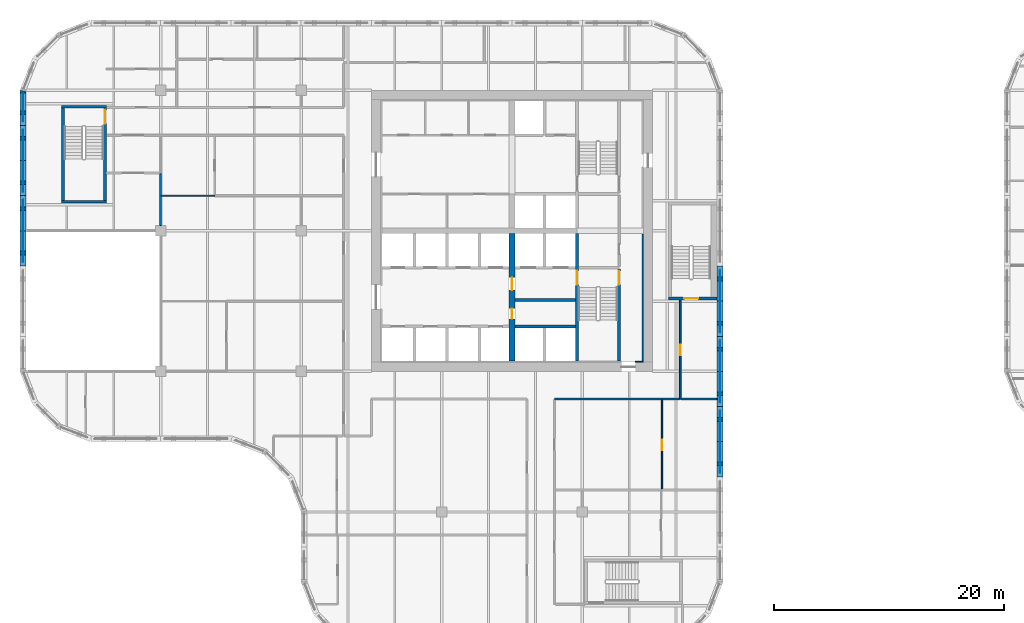
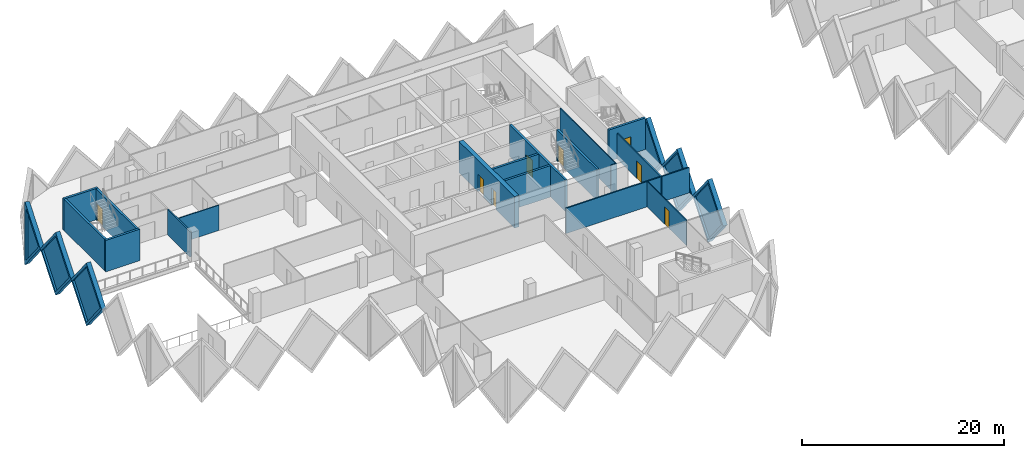
# One storey, part 7 of 19: 24 walls, 8 doors, 6 plates, 14 openings.
"""IFC4 building model written with IfcOpenShell, lengths in metres."""

from ifc_helpers import new_model, si_unit, direction, frame, frame_2d, origin, place, context, subcontext, project, spatial, polyline, rectangle, outline, extrude, faceted_brep, source, transform, mapped, material, layer, layer_set, type_object, element, fill, save


model = new_model("IFC4")

# Units and contexts
model_context = context("Model", 3, precision=1e-05, world=origin(), true_north=direction((0.0, 1.0)))
body_context = subcontext(model_context, "Body", "Model", "MODEL_VIEW")
ifc_project = project(units=[si_unit("LENGTHUNIT", "METRE"), si_unit("AREAUNIT", "SQUARE_METRE"), si_unit("VOLUMEUNIT", "CUBIC_METRE"), si_unit("PLANEANGLEUNIT", "RADIAN"), si_unit("MASSUNIT", "GRAM", prefix="KILO")], contexts=[model_context])

# Site, building, storey
site_placement = place(None, origin())
site = spatial("IfcSite", under=ifc_project, at=site_placement, CompositionType="ELEMENT")
building_placement = place(site_placement, origin())
building = spatial("IfcBuilding", under=site, at=building_placement, Name="Tessera Gate Towers", CompositionType="ELEMENT")
storey_placement = place(building_placement, frame((0.0, 0.0, 87.60009765625)))
storey = spatial("IfcBuildingStorey", under=building, at=storey_placement, Name="L21", CompositionType="ELEMENT", Elevation=87.60009765625)

# Wall, opening, door
ifc_material_1 = material(Name="Concrete C40/50", Category="concrete")
ifc_layer_1 = layer(ifc_material_1, 0.25)
ifc_layer_set_1 = layer_set([ifc_layer_1], Name="CORE ENCLOSURE WALL 250")
wall_type_1 = type_object("IfcWallType", Name="CORE ENCLOSURE WALL 250", PredefinedType="SOLIDWALL", material=ifc_layer_set_1)
wall_1_placement = place(storey_placement, frame((48.35009765625, 36.35009765625, 0.0), z_axis=(0.0, 0.0, 1.0), x_axis=(0.0, -1.0, 0.0)))
wall_1 = element("IfcWall", 1, at=wall_1_placement, inside=storey, type_object=wall_type_1, Name="L21 shaft and stair enclosure wall", PredefinedType="SOLIDWALL", context=body_context, shape_type="SweptSolid", body=[
    extrude(rectangle(XDim=11.050048828125, YDim=0.25, at=frame_2d((5.52490234375, 0.0))), origin(), (0.0, 0.0, 1.0), 3.7998046875),
])
shared_shape_1 = source(origin(), body_context, "Body", "SweptSolid", [
    extrude(rectangle(XDim=1.199951171875, YDim=2.10009765625, at=frame_2d((0.60009765625, 1.050048828125))), frame((0.0, 0.135009765625, 0.0), z_axis=(0.0, -1.0, 0.0), x_axis=(1.0, 0.0, 0.0)), (0.0, 0.0, 1.0), 0.27001953125),
])
opening_1_placement = place(wall_1_placement, frame((3.22509765625, 0.0, 0.0)))
opening_1 = element("IfcOpeningElement", 2, at=opening_1_placement, cuts=wall_1, Name="Opening SD-ST1-1", PredefinedType="OPENING", context=body_context, shape_type="MappedRepresentation", body=[
    mapped(shared_shape_1, transform((0.0, 0.0, 0.0), scale=1.0)),
])
ifc_material_2 = material(Name="Hollow steel fire door", Category="steel")
door_type_1 = type_object("IfcDoorType", Name="CORE DOOR SD 1200x2100", OperationType="NOTDEFINED", PredefinedType="DOOR", material=ifc_material_2)
shared_shape_2 = source(origin(), body_context, "Body", "SweptSolid", [
    extrude(rectangle(XDim=1.199951171875, YDim=2.10009765625, at=frame_2d((0.60009765625, 1.050048828125))), frame((0.0, 0.02490234375, 0.0), z_axis=(0.0, -1.0, 0.0), x_axis=(1.0, 0.0, 0.0)), (0.0, 0.0, 1.0), 0.050048828125),
])
door_1_placement = place(opening_1_placement, origin())
door_1 = element("IfcDoor", 3, at=door_1_placement, inside=storey, type_object=door_type_1, Name="Stair door", OperationType="SINGLE_SWING_LEFT", OverallHeight=2.10009765625, OverallWidth=1.199951171875, PredefinedType="DOOR", context=body_context, shape_type="MappedRepresentation", body=[
    mapped(shared_shape_2, transform((0.0, 0.0, 0.0), scale=1.0)),
])
fill(opening_1, door_1)

# Wall
wall_2_placement = place(storey_placement, frame((42.949951171875, 28.300048828125, 0.0), z_axis=(0.0, 0.0, 1.0), x_axis=(1.0, 0.0, 0.0)))
element("IfcWall", 4, at=wall_2_placement, inside=storey, type_object=wall_type_1, Name="L21 shaft and stair enclosure wall", PredefinedType="SOLIDWALL", context=body_context, shape_type="SweptSolid", body=[
    extrude(rectangle(XDim=5.275146484375, YDim=0.25, at=frame_2d((2.6376953125, 0.0))), origin(), (0.0, 0.0, 1.0), 3.7998046875),
])

# Wall, opening, door
wall_3_placement = place(storey_placement, frame((52.0, 25.300048828125, 0.0), z_axis=(0.0, 0.0, 1.0), x_axis=(0.0, 1.0, 0.0)))
wall_3 = element("IfcWall", 5, at=wall_3_placement, inside=storey, type_object=wall_type_1, Name="L21 shaft and stair enclosure wall", PredefinedType="SOLIDWALL", context=body_context, shape_type="SweptSolid", body=[
    extrude(rectangle(XDim=7.974853515625, YDim=0.25, at=frame_2d((3.9873046875, 0.0))), origin(), (0.0, 0.0, 1.0), 3.7998046875),
])
opening_2_placement = place(wall_3_placement, frame((6.625, 0.0, 0.0)))
opening_2 = element("IfcOpeningElement", 6, at=opening_2_placement, cuts=wall_3, Name="Opening SD-ST1-2", PredefinedType="OPENING", context=body_context, shape_type="MappedRepresentation", body=[
    mapped(shared_shape_1, transform((0.0, 0.0, 0.0), scale=1.0)),
])
door_2_placement = place(opening_2_placement, origin())
door_2 = element("IfcDoor", 7, at=door_2_placement, inside=storey, type_object=door_type_1, Name="Stair door", OperationType="SINGLE_SWING_RIGHT", OverallHeight=2.10009765625, OverallWidth=1.199951171875, PredefinedType="DOOR", context=body_context, shape_type="MappedRepresentation", body=[
    mapped(shared_shape_2, transform((0.0, 0.0, 0.0), scale=1.0)),
])
fill(opening_2, door_2)

# Walls
wall_4_placement = place(storey_placement, frame((42.949951171875, 30.60009765625, 0.0), z_axis=(0.0, 0.0, 1.0), x_axis=(1.0, 0.0, 0.0)))
element("IfcWall", 8, at=wall_4_placement, inside=storey, type_object=wall_type_1, Name="L21 shaft and stair enclosure wall", PredefinedType="SOLIDWALL", context=body_context, shape_type="SweptSolid", body=[
    extrude(rectangle(XDim=5.275146484375, YDim=0.25, at=frame_2d((2.6376953125, 0.0))), origin(), (0.0, 0.0, 1.0), 3.7998046875),
])
wall_5_placement = place(storey_placement, frame((7.5, 39.125, 0.0), z_axis=(0.0, 0.0, 1.0), x_axis=(-1.0, 0.0, 0.0)))
element("IfcWall", 9, at=wall_5_placement, inside=storey, type_object=wall_type_1, Name="L21 ST3 enclosure wall", PredefinedType="SOLIDWALL", context=body_context, shape_type="SweptSolid", body=[
    extrude(rectangle(XDim=3.89990234375, YDim=0.25, at=frame_2d((1.949951171875, 0.0))), origin(), (0.0, 0.0, 1.0), 3.7998046875),
])
wall_6_placement = place(storey_placement, frame((3.72509765625, 39.25, 0.0), z_axis=(0.0, 0.0, 1.0), x_axis=(0.0, 1.0, 0.0)))
element("IfcWall", 10, at=wall_6_placement, inside=storey, type_object=wall_type_1, Name="L21 ST3 enclosure wall", PredefinedType="SOLIDWALL", context=body_context, shape_type="SweptSolid", body=[
    extrude(rectangle(XDim=8.0, YDim=0.25, at=frame_2d((4.0, 0.0))), origin(), (0.0, 0.0, 1.0), 3.7998046875),
])
wall_7_placement = place(storey_placement, frame((3.60009765625, 47.375, 0.0), z_axis=(0.0, 0.0, 1.0), x_axis=(1.0, 0.0, 0.0)))
element("IfcWall", 11, at=wall_7_placement, inside=storey, type_object=wall_type_1, Name="L21 ST3 enclosure wall", PredefinedType="SOLIDWALL", context=body_context, shape_type="SweptSolid", body=[
    extrude(rectangle(XDim=3.89990234375, YDim=0.25, at=frame_2d((1.949951171875, 0.0))), origin(), (0.0, 0.0, 1.0), 3.7998046875),
])

# Wall, opening, door
wall_8_placement = place(storey_placement, frame((7.375, 47.25, 0.0), z_axis=(0.0, 0.0, 1.0), x_axis=(0.0, -1.0, 0.0)))
wall_8 = element("IfcWall", 12, at=wall_8_placement, inside=storey, type_object=wall_type_1, Name="L21 ST3 enclosure wall", PredefinedType="SOLIDWALL", context=body_context, shape_type="SweptSolid", body=[
    extrude(rectangle(XDim=8.0, YDim=0.25, at=frame_2d((4.0, 0.0))), origin(), (0.0, 0.0, 1.0), 3.7998046875),
])
opening_3_placement = place(wall_8_placement, frame((0.14990234375, 0.0, 0.0)))
opening_3 = element("IfcOpeningElement", 13, at=opening_3_placement, cuts=wall_8, Name="Opening SD-ST3-1", PredefinedType="OPENING", context=body_context, shape_type="MappedRepresentation", body=[
    mapped(shared_shape_1, transform((0.0, 0.0, 0.0), scale=1.0)),
])
door_3_placement = place(opening_3_placement, origin())
door_3 = element("IfcDoor", 14, at=door_3_placement, inside=storey, type_object=door_type_1, Name="Stair door", OperationType="SINGLE_SWING_LEFT", OverallHeight=2.10009765625, OverallWidth=1.199951171875, PredefinedType="DOOR", context=body_context, shape_type="MappedRepresentation", body=[
    mapped(shared_shape_2, transform((0.0, 0.0, 0.0), scale=1.0)),
])
fill(opening_3, door_3)

wall_9_placement = place(storey_placement, frame((60.5, 30.72509765625, 0.0), z_axis=(0.0, 0.0, 1.0), x_axis=(-1.0, 0.0, 0.0)))
wall_9 = element("IfcWall", 15, at=wall_9_placement, inside=storey, type_object=wall_type_1, Name="L21 ST5 enclosure wall", PredefinedType="SOLIDWALL", context=body_context, shape_type="SweptSolid", body=[
    extrude(rectangle(XDim=4.199951171875, YDim=0.25, at=frame_2d((2.10009765625, 0.0))), origin(), (0.0, 0.0, 1.0), 3.7998046875),
])
opening_4_placement = place(wall_9_placement, frame((1.64990234375, 0.0, 0.0)))
opening_4 = element("IfcOpeningElement", 16, at=opening_4_placement, cuts=wall_9, Name="Opening SD-ST5-1", PredefinedType="OPENING", context=body_context, shape_type="MappedRepresentation", body=[
    mapped(shared_shape_1, transform((0.0, 0.0, 0.0), scale=1.0)),
])
door_4_placement = place(opening_4_placement, origin())
door_4 = element("IfcDoor", 17, at=door_4_placement, inside=storey, type_object=door_type_1, Name="Stair door", OperationType="SINGLE_SWING_RIGHT", OverallHeight=2.10009765625, OverallWidth=1.199951171875, PredefinedType="DOOR", context=body_context, shape_type="MappedRepresentation", body=[
    mapped(shared_shape_2, transform((0.0, 0.0, 0.0), scale=1.0)),
])
fill(opening_4, door_4)

# Wall, openings, doors
ifc_material_3 = material(Name="Concrete C60/75", Category="concrete")
ifc_layer_2 = layer(ifc_material_3, 0.5)
ifc_layer_set_2 = layer_set([ifc_layer_2], Name="CORE SPINE WALL 500 C60/75")
wall_type_2 = type_object("IfcWallType", Name="CORE SPINE WALL 500 C60/75", PredefinedType="SHEAR", material=ifc_layer_set_2)
wall_10_placement = place(storey_placement, frame((42.699951171875, 36.35009765625, 0.0), z_axis=(0.0, 0.0, 1.0), x_axis=(0.0, -1.0, 0.0)))
wall_10 = element("IfcWall", 18, at=wall_10_placement, inside=storey, type_object=wall_type_2, Name="Core wall spine L21", PredefinedType="SHEAR", context=body_context, shape_type="SweptSolid", body=[
    extrude(rectangle(XDim=11.050048828125, YDim=0.5, at=frame_2d((5.52490234375, 0.0))), origin(), (0.0, 0.0, 1.0), 3.7998046875),
])
shared_shape_3 = source(origin(), body_context, "Body", "SweptSolid", [
    extrude(rectangle(XDim=0.89990234375, YDim=2.10009765625, at=frame_2d((0.449951171875, 1.050048828125))), frame((0.0, 0.260009765625, 0.0), z_axis=(0.0, -1.0, 0.0), x_axis=(1.0, 0.0, 0.0)), (0.0, 0.0, 1.0), 0.52001953125),
])
opening_5_placement = place(wall_10_placement, frame((6.5, 0.0, 0.0)))
opening_5 = element("IfcOpeningElement", 19, at=opening_5_placement, cuts=wall_10, Name="Opening RD-T1-14-05", PredefinedType="OPENING", context=body_context, shape_type="MappedRepresentation", body=[
    mapped(shared_shape_3, transform((0.0, 0.0, 0.0), scale=1.0)),
])
shared_shape_4 = source(origin(), body_context, "Body", "SweptSolid", [
    extrude(rectangle(XDim=1.10009765625, YDim=2.10009765625, at=frame_2d((0.550048828125, 1.050048828125))), frame((0.0, 0.260009765625, 0.0), z_axis=(0.0, -1.0, 0.0), x_axis=(1.0, 0.0, 0.0)), (0.0, 0.0, 1.0), 0.52001953125),
])
opening_6_placement = place(wall_10_placement, frame((3.800048828125, 0.0, 0.0)))
opening_6 = element("IfcOpeningElement", 20, at=opening_6_placement, cuts=wall_10, Name="Opening FD-T1-14-06", PredefinedType="OPENING", context=body_context, shape_type="MappedRepresentation", body=[
    mapped(shared_shape_4, transform((0.0, 0.0, 0.0), scale=1.0)),
])
ifc_material_4 = material(Name="Hollow steel fire door", Category="steel")
door_type_2 = type_object("IfcDoorType", Name="CORE DOOR RD 900x2100", OperationType="NOTDEFINED", PredefinedType="DOOR", material=ifc_material_4)
shared_shape_5 = source(origin(), body_context, "Body", "SweptSolid", [
    extrude(rectangle(XDim=0.89990234375, YDim=2.10009765625, at=frame_2d((0.449951171875, 1.050048828125))), frame((0.0, 0.02490234375, 0.0), z_axis=(0.0, -1.0, 0.0), x_axis=(1.0, 0.0, 0.0)), (0.0, 0.0, 1.0), 0.050048828125),
])
door_5_placement = place(opening_5_placement, origin())
door_5 = element("IfcDoor", 21, at=door_5_placement, inside=storey, type_object=door_type_2, Name="Core room door", OperationType="SINGLE_SWING_RIGHT", OverallHeight=2.10009765625, OverallWidth=0.89990234375, PredefinedType="DOOR", context=body_context, shape_type="MappedRepresentation", body=[
    mapped(shared_shape_5, transform((0.0, 0.0, 0.0), scale=1.0)),
])
fill(opening_5, door_5)
ifc_material_5 = material(Name="Hollow steel fire door", Category="steel")
door_type_3 = type_object("IfcDoorType", Name="CORE DOOR FD 1100x2100", OperationType="NOTDEFINED", PredefinedType="DOOR", material=ifc_material_5)
shared_shape_6 = source(origin(), body_context, "Body", "SweptSolid", [
    extrude(rectangle(XDim=1.10009765625, YDim=2.10009765625, at=frame_2d((0.550048828125, 1.050048828125))), frame((0.0, 0.02490234375, 0.0), z_axis=(0.0, -1.0, 0.0), x_axis=(1.0, 0.0, 0.0)), (0.0, 0.0, 1.0), 0.050048828125),
])
door_6_placement = place(opening_6_placement, origin())
door_6 = element("IfcDoor", 22, at=door_6_placement, inside=storey, type_object=door_type_3, Name="Fire-fighting lobby door", OperationType="SINGLE_SWING_LEFT", OverallHeight=2.10009765625, OverallWidth=1.10009765625, PredefinedType="DOOR", context=body_context, shape_type="MappedRepresentation", body=[
    mapped(shared_shape_6, transform((0.0, 0.0, 0.0), scale=1.0)),
])
fill(opening_6, door_6)

# Walls
ifc_material_6 = material(Name="Concrete C60/75", Category="concrete")
ifc_layer_3 = layer(ifc_material_6, 0.10009765625)
ifc_layer_set_3 = layer_set([ifc_layer_3], Name="CORE WALL THICKENING 100")
wall_type_3 = type_object("IfcWallType", Name="CORE WALL THICKENING 100", PredefinedType="SOLIDWALL", material=ifc_layer_set_3)
wall_11_placement = place(storey_placement, frame((53.39990234375, 25.25, 0.0), z_axis=(0.0, 0.0, 1.0), x_axis=(1.0, 0.0, 0.0)))
element("IfcWall", 23, at=wall_11_placement, inside=storey, type_object=wall_type_3, Name="Core wall thickening S L21", PredefinedType="SOLIDWALL", context=body_context, shape_type="SweptSolid", body=[
    extrude(rectangle(XDim=0.7001953125, YDim=0.10009765625, at=frame_2d((0.35009765625, 0.0))), origin(), (0.0, 0.0, 1.0), 3.7998046875),
])
wall_12_placement = place(storey_placement, frame((54.050048828125, 25.300048828125, 0.0), z_axis=(0.0, 0.0, 1.0), x_axis=(0.0, 1.0, 0.0)))
element("IfcWall", 24, at=wall_12_placement, inside=storey, type_object=wall_type_3, Name="Core wall thickening E L21", PredefinedType="SOLIDWALL", context=body_context, shape_type="SweptSolid", body=[
    extrude(rectangle(XDim=11.02001953125, YDim=0.10009765625, at=frame_2d((5.510009765625, 0.0))), origin(), (0.0, 0.0, 1.0), 3.7998046875),
])
ifc_material_7 = material(Name="Gypsum board on steel studs, mineral wool", Category="steel")
ifc_layer_4 = layer(ifc_material_7, 0.14990234375)
ifc_layer_set_4 = layer_set([ifc_layer_4], Name="CORRIDOR WALL 150")
wall_type_4 = type_object("IfcWallType", Name="CORRIDOR WALL 150", PredefinedType="PARTITIONING", material=ifc_layer_set_4)
wall_13_placement = place(storey_placement, frame((46.39990234375, 22.0, 0.0), z_axis=(0.0, 0.0, 1.0), x_axis=(1.0, 0.0, 0.0)))
element("IfcWall", 25, at=wall_13_placement, inside=storey, type_object=wall_type_4, Name="T1-L21-PW-023", PredefinedType="PARTITIONING", context=body_context, shape_type="SweptSolid", body=[
    extrude(rectangle(XDim=10.82421875, YDim=0.14990234375, at=frame_2d((5.412109375, 0.0))), origin(), (0.0, 0.0, 1.0), 3.06689453125),
])

# Wall, opening, door
wall_14_placement = place(storey_placement, frame((57.300048828125, 30.60009765625, 0.0), z_axis=(0.0, 0.0, 1.0), x_axis=(0.0, -1.0, 0.0)))
wall_14 = element("IfcWall", 26, at=wall_14_placement, inside=storey, type_object=wall_type_4, Name="T1-L21-PW-024", PredefinedType="PARTITIONING", context=body_context, shape_type="SweptSolid", body=[
    extrude(rectangle(XDim=8.60009765625, YDim=0.14990234375, at=frame_2d((4.300048828125, 0.0))), origin(), (0.0, 0.0, 1.0), 3.06689453125),
])
shared_shape_7 = source(origin(), body_context, "Body", "SweptSolid", [
    extrude(rectangle(XDim=0.89990234375, YDim=2.10009765625, at=frame_2d((0.449951171875, 1.050048828125))), frame((0.0, 0.0849609375, 0.0), z_axis=(0.0, -1.0, 0.0), x_axis=(1.0, 0.0, 0.0)), (0.0, 0.0, 1.0), 0.169921875),
])
opening_7_placement = place(wall_14_placement, frame((3.89990234375, 0.0, 0.0)))
opening_7 = element("IfcOpeningElement", 27, at=opening_7_placement, cuts=wall_14, Name="Opening D890FD60-A07-07", PredefinedType="OPENING", context=body_context, shape_type="MappedRepresentation", body=[
    mapped(shared_shape_7, transform((0.0, 0.0, 0.0), scale=1.0)),
])
ifc_material_8 = material(Name="Timber door leaf in steel frame", Category="steel")
door_type_4 = type_object("IfcDoorType", Name="CORRIDOR DOOR 900 FD60", OperationType="NOTDEFINED", PredefinedType="DOOR", material=ifc_material_8)
door_7_placement = place(opening_7_placement, origin())
door_7 = element("IfcDoor", 28, at=door_7_placement, inside=storey, type_object=door_type_4, Name="T1-L21-PD-020", OperationType="SINGLE_SWING_RIGHT", OverallHeight=2.10009765625, OverallWidth=0.89990234375, PredefinedType="DOOR", context=body_context, shape_type="MappedRepresentation", body=[
    mapped(shared_shape_5, transform((0.0, 0.0, 0.0), scale=1.0)),
])
fill(opening_7, door_7)

ifc_material_9 = material(Name="Glass", Category="glass")
ifc_layer_5 = layer(ifc_material_9, 0.10009765625)
ifc_layer_set_5 = layer_set([ifc_layer_5], Name="GLAZED PARTITION 100")
wall_type_5 = type_object("IfcWallType", Name="GLAZED PARTITION 100", PredefinedType="PARTITIONING", material=ifc_layer_set_5)
wall_15_placement = place(storey_placement, frame((55.715087890625, 21.924072265625, 0.0), z_axis=(0.0, 0.0, 1.0), x_axis=(0.0, -1.0, 0.0)))
wall_15 = element("IfcWall", 29, at=wall_15_placement, inside=storey, type_object=wall_type_5, Name="T1-L21-PW-014", PredefinedType="PARTITIONING", context=body_context, shape_type="SweptSolid", body=[
    extrude(rectangle(XDim=7.748046875, YDim=0.10009765625, at=frame_2d((3.8740234375, 0.0))), origin(), (0.0, 0.0, 1.0), 3.06689453125),
])
shared_shape_8 = source(origin(), body_context, "Body", "SweptSolid", [
    extrude(rectangle(XDim=0.89990234375, YDim=2.10009765625, at=frame_2d((0.449951171875, 1.050048828125))), frame((0.0, 0.06005859375, 0.0), z_axis=(0.0, -1.0, 0.0), x_axis=(1.0, 0.0, 0.0)), (0.0, 0.0, 1.0), 0.1201171875),
])
opening_8_placement = place(wall_15_placement, frame((3.447998046875, 0.0, 0.0)))
opening_8 = element("IfcOpeningElement", 30, at=opening_8_placement, cuts=wall_15, Name="Opening D690-A07-06", PredefinedType="OPENING", context=body_context, shape_type="MappedRepresentation", body=[
    mapped(shared_shape_8, transform((0.0, 0.0, 0.0), scale=1.0)),
])
ifc_material_10 = material(Name="Glass in aluminium frame", Category="aluminium")
door_type_5 = type_object("IfcDoorType", Name="GLAZED DOOR 900 NOT RATED", OperationType="NOTDEFINED", PredefinedType="DOOR", material=ifc_material_10)
door_8_placement = place(opening_8_placement, origin())
door_8 = element("IfcDoor", 31, at=door_8_placement, inside=storey, type_object=door_type_5, Name="T1-L21-PD-016", OperationType="SINGLE_SWING_RIGHT", OverallHeight=2.10009765625, OverallWidth=0.89990234375, PredefinedType="DOOR", context=body_context, shape_type="MappedRepresentation", body=[
    mapped(shared_shape_5, transform((0.0, 0.0, 0.0), scale=1.0)),
])
fill(opening_8, door_8)

# Walls
wall_16_placement = place(storey_placement, frame((12.27587890625, 39.64990234375, 0.0), z_axis=(0.0, 0.0, 1.0), x_axis=(1.0, 0.0, 0.0)))
element("IfcWall", 32, at=wall_16_placement, inside=storey, type_object=wall_type_5, Name="T1-L21-PW-034", PredefinedType="PARTITIONING", context=body_context, shape_type="SweptSolid", body=[
    extrude(rectangle(XDim=4.623046875, YDim=0.10009765625, at=frame_2d((2.3115234375, 0.0))), origin(), (0.0, 0.0, 1.0), 3.06689453125),
])
ifc_material_11 = material(Name="Gypsum board on steel studs, mineral wool", Category="steel")
ifc_layer_6 = layer(ifc_material_11, 0.14990234375)
ifc_layer_set_6 = layer_set([ifc_layer_6], Name="TENANCY WALL 150")
wall_type_6 = type_object("IfcWallType", Name="TENANCY WALL 150", PredefinedType="PARTITIONING", material=ifc_layer_set_6)
wall_17_placement = place(storey_placement, frame((57.3759765625, 22.0, 0.0), z_axis=(0.0, 0.0, 1.0), x_axis=(1.0, 0.0, 0.0)))
element("IfcWall", 33, at=wall_17_placement, inside=storey, type_object=wall_type_6, Name="T1-L21-PW-025", PredefinedType="PARTITIONING", context=body_context, shape_type="SweptSolid", body=[
    extrude(rectangle(XDim=3.1240234375, YDim=0.14990234375, at=frame_2d((1.56201171875, 0.0))), origin(), (0.0, 0.0, 1.0), 3.06689453125),
])
wall_18_placement = place(storey_placement, frame((12.199951171875, 37.051025390625, 0.0), z_axis=(0.0, 0.0, 1.0), x_axis=(0.0, 1.0, 0.0)))
element("IfcWall", 34, at=wall_18_placement, inside=storey, type_object=wall_type_6, Name="T1-L21-PW-032", PredefinedType="PARTITIONING", context=body_context, shape_type="SweptSolid", body=[
    extrude(rectangle(XDim=4.498046875, YDim=0.14990234375, at=frame_2d((2.2490234375, 0.0))), origin(), (0.0, 0.0, 1.0), 3.06689453125),
])

# Wall, opening, plate
ifc_material_12 = material(Name="Precast concrete C60/75 white", Category="concrete")
ifc_layer_7 = layer(ifc_material_12, 0.5)
ifc_layer_set_7 = layer_set([ifc_layer_7], Name="TS1 tessera")
wall_type_7 = type_object("IfcWallType", Name="TS1 tessera", PredefinedType="SOLIDWALL", material=ifc_layer_set_7)
shared_shape_9 = source(origin(), body_context, "Body", "Brep", [
    faceted_brep([(3.050048828125, -0.25, 0.0), (6.099853515625, -0.25, 3.7998046875), (6.099853515625, -0.25, 3.80029296875), (3.050048828125, -0.25, 7.599853515625), (0.0, -0.25, 3.800048828125), (0.0, 0.25, 3.800048828125), (3.050048828125, 0.25, 7.599853515625), (6.099853515625, 0.25, 3.80029296875), (6.099853515625, 0.25, 3.7998046875), (3.050048828125, 0.25, 0.0)], [[[0, 1, 2, 3, 4]], [[5, 6, 7, 8, 9]], [[9, 8, 1, 0]], [[7, 6, 3, 2]], [[6, 5, 4, 3]], [[5, 9, 0, 4]], [[1, 8, 7, 2]]]),
])
wall_19_placement = place(storey_placement, frame((60.75, 21.35009765625, -3.800048828125), z_axis=(0.0, 0.0, 1.0), x_axis=(0.0, 1.0, 0.0)))
wall_19 = element("IfcWall", 35, at=wall_19_placement, inside=storey, type_object=wall_type_7, Name="Precast tessera T1 TS1-0328", PredefinedType="SOLIDWALL", context=body_context, shape_type="MappedRepresentation", body=[
    mapped(shared_shape_9, transform((0.0, 0.0, 0.0), scale=1.0)),
])
shared_shape_10 = source(origin(), body_context, "Body", "SweptSolid", [
    extrude(outline(polyline([(3.050048828125, 0.3994140625), (5.779541015625, 3.800048828125), (3.050048828125, 7.200439453125), (0.320556640625, 3.800048828125), (3.050048828125, 0.3994140625)])), frame((0.0, 0.260009765625, 0.0), z_axis=(0.0, -1.0, 0.0), x_axis=(1.0, 0.0, 0.0)), (0.0, 0.0, 1.0), 0.52001953125),
])
opening_9_placement = place(wall_19_placement, origin())
opening_9 = element("IfcOpeningElement", 36, at=opening_9_placement, cuts=wall_19, Name="Opening T1-PL2-0668", PredefinedType="OPENING", context=body_context, shape_type="MappedRepresentation", body=[
    mapped(shared_shape_10, transform((0.0, 0.0, 0.0), scale=1.0)),
])
ifc_material_13 = material(Name="Low-e laminated glass", Category="glass")
ifc_layer_8 = layer(ifc_material_13, 0.06005859375)
ifc_layer_set_8 = layer_set([ifc_layer_8], Name="PL2 rhombic pane")
plate_type = type_object("IfcPlateType", Name="PL2 rhombic pane", PredefinedType="SHEET", material=ifc_layer_set_8)
shared_shape_11 = source(origin(), body_context, "Body", "SweptSolid", [
    extrude(outline(polyline([(3.050048828125, 0.3994140625), (5.779541015625, 3.800048828125), (3.050048828125, 7.200439453125), (0.320556640625, 3.800048828125), (3.050048828125, 0.3994140625)])), frame((0.0, 0.030029296875, 0.0), z_axis=(0.0, -1.0, 0.0), x_axis=(1.0, 0.0, 0.0)), (0.0, 0.0, 1.0), 0.06005859375),
])
plate_1_placement = place(opening_9_placement, origin())
plate_1 = element("IfcPlate", 37, at=plate_1_placement, inside=storey, type_object=plate_type, Name="Glass pane T1 PL2-0668", PredefinedType="SHEET", context=body_context, shape_type="MappedRepresentation", body=[
    mapped(shared_shape_11, transform((0.0, 0.0, 0.0), scale=1.0)),
])
fill(opening_9, plate_1)

wall_20_placement = place(storey_placement, frame((0.25, 39.64990234375, -3.800048828125), z_axis=(0.0, 0.0, 1.0), x_axis=(0.0, -1.0, 0.0)))
wall_20 = element("IfcWall", 38, at=wall_20_placement, inside=storey, type_object=wall_type_7, Name="Precast tessera T1 TS1-0341", PredefinedType="SOLIDWALL", context=body_context, shape_type="MappedRepresentation", body=[
    mapped(shared_shape_9, transform((0.0, 0.0, 0.0), scale=1.0)),
])
opening_10_placement = place(wall_20_placement, origin())
opening_10 = element("IfcOpeningElement", 39, at=opening_10_placement, cuts=wall_20, Name="Opening T1-PL2-0689", PredefinedType="OPENING", context=body_context, shape_type="MappedRepresentation", body=[
    mapped(shared_shape_10, transform((0.0, 0.0, 0.0), scale=1.0)),
])
plate_2_placement = place(opening_10_placement, origin())
plate_2 = element("IfcPlate", 40, at=plate_2_placement, inside=storey, type_object=plate_type, Name="Glass pane T1 PL2-0689", PredefinedType="SHEET", context=body_context, shape_type="MappedRepresentation", body=[
    mapped(shared_shape_11, transform((0.0, 0.0, 0.0), scale=1.0)),
])
fill(opening_10, plate_2)

shared_shape_12 = source(origin(), body_context, "Body", "SweptSolid", [
    extrude(outline(polyline([(3.050048828125, 0.0), (6.10009765625, 3.800048828125), (3.050048828125, 7.599853515625), (0.0, 3.800048828125), (3.050048828125, 0.0)])), frame((0.0, 0.25, 0.0), z_axis=(0.0, -1.0, 0.0), x_axis=(1.0, 0.0, 0.0)), (0.0, 0.0, 1.0), 0.5),
])
wall_21_placement = place(storey_placement, frame((60.75, 15.25, -3.800048828125), z_axis=(0.0, 0.0, 1.0), x_axis=(0.0, 1.0, 0.0)))
wall_21 = element("IfcWall", 41, at=wall_21_placement, inside=storey, type_object=wall_type_7, Name="Precast tessera T1 TS1-0327", PredefinedType="SOLIDWALL", context=body_context, shape_type="MappedRepresentation", body=[
    mapped(shared_shape_12, transform((0.0, 0.0, 0.0), scale=1.0)),
])
opening_11_placement = place(wall_21_placement, origin())
opening_11 = element("IfcOpeningElement", 42, at=opening_11_placement, cuts=wall_21, Name="Opening T1-PL2-0667", PredefinedType="OPENING", context=body_context, shape_type="MappedRepresentation", body=[
    mapped(shared_shape_10, transform((0.0, 0.0, 0.0), scale=1.0)),
])
plate_3_placement = place(opening_11_placement, origin())
plate_3 = element("IfcPlate", 43, at=plate_3_placement, inside=storey, type_object=plate_type, Name="Glass pane T1 PL2-0667", PredefinedType="SHEET", context=body_context, shape_type="MappedRepresentation", body=[
    mapped(shared_shape_11, transform((0.0, 0.0, 0.0), scale=1.0)),
])
fill(opening_11, plate_3)

wall_22_placement = place(storey_placement, frame((60.75, 27.449951171875, -3.800048828125), z_axis=(0.0, 0.0, 1.0), x_axis=(0.0, 1.0, 0.0)))
wall_22 = element("IfcWall", 44, at=wall_22_placement, inside=storey, type_object=wall_type_7, Name="Precast tessera T1 TS1-0329", PredefinedType="SOLIDWALL", context=body_context, shape_type="MappedRepresentation", body=[
    mapped(shared_shape_12, transform((0.0, 0.0, 0.0), scale=1.0)),
])
opening_12_placement = place(wall_22_placement, origin())
opening_12 = element("IfcOpeningElement", 45, at=opening_12_placement, cuts=wall_22, Name="Opening T1-PL2-0669", PredefinedType="OPENING", context=body_context, shape_type="MappedRepresentation", body=[
    mapped(shared_shape_10, transform((0.0, 0.0, 0.0), scale=1.0)),
])
plate_4_placement = place(opening_12_placement, origin())
plate_4 = element("IfcPlate", 46, at=plate_4_placement, inside=storey, type_object=plate_type, Name="Glass pane T1 PL2-0669", PredefinedType="SHEET", context=body_context, shape_type="MappedRepresentation", body=[
    mapped(shared_shape_11, transform((0.0, 0.0, 0.0), scale=1.0)),
])
fill(opening_12, plate_4)

wall_23_placement = place(storey_placement, frame((0.25, 45.75, -3.800048828125), z_axis=(0.0, 0.0, 1.0), x_axis=(0.0, -1.0, 0.0)))
wall_23 = element("IfcWall", 47, at=wall_23_placement, inside=storey, type_object=wall_type_7, Name="Precast tessera T1 TS1-0340", PredefinedType="SOLIDWALL", context=body_context, shape_type="MappedRepresentation", body=[
    mapped(shared_shape_12, transform((0.0, 0.0, 0.0), scale=1.0)),
])
opening_13_placement = place(wall_23_placement, origin())
opening_13 = element("IfcOpeningElement", 48, at=opening_13_placement, cuts=wall_23, Name="Opening T1-PL2-0688", PredefinedType="OPENING", context=body_context, shape_type="MappedRepresentation", body=[
    mapped(shared_shape_10, transform((0.0, 0.0, 0.0), scale=1.0)),
])
plate_5_placement = place(opening_13_placement, origin())
plate_5 = element("IfcPlate", 49, at=plate_5_placement, inside=storey, type_object=plate_type, Name="Glass pane T1 PL2-0688", PredefinedType="SHEET", context=body_context, shape_type="MappedRepresentation", body=[
    mapped(shared_shape_11, transform((0.0, 0.0, 0.0), scale=1.0)),
])
fill(opening_13, plate_5)

ifc_material_14 = material(Name="Precast concrete C60/75 white", Category="concrete")
ifc_layer_9 = layer(ifc_material_14, 0.5)
ifc_layer_set_9 = layer_set([ifc_layer_9], Name="TS3 corner tessera")
wall_type_8 = type_object("IfcWallType", Name="TS3 corner tessera", PredefinedType="SOLIDWALL", material=ifc_layer_set_9)
shared_shape_13 = source(origin(), body_context, "Body", "Brep", [
    faceted_brep([(0.046630859375, -0.25, 0.0), (3.050048828125, -0.25, 3.800048828125), (0.046630859375, -0.25, 7.599853515625), (0.0, -0.25, 7.539794921875), (0.0, -0.25, 0.06005859375), (0.09326171875, 0.25, 7.541015625), (3.050048828125, 0.25, 3.800048828125), (0.09326171875, 0.25, 0.058837890625), (0.046630859375, 0.0, 0.0), (0.046630859375, 0.0, 7.599853515625)], [[[0, 1, 2, 3, 4]], [[5, 6, 7]], [[7, 6, 1, 0, 8]], [[6, 5, 9, 2, 1]], [[3, 2, 9]], [[8, 0, 4]], [[7, 8, 4, 3, 9, 5]]]),
])
wall_24_placement = place(storey_placement, frame((0.25, 48.800048828125, -3.800048828125), z_axis=(0.0, 0.0, 1.0), x_axis=(0.0, -1.0, 0.0)))
wall_24 = element("IfcWall", 50, at=wall_24_placement, inside=storey, type_object=wall_type_8, Name="Precast corner tessera T1 TS3-0468", PredefinedType="SOLIDWALL", context=body_context, shape_type="MappedRepresentation", body=[
    mapped(shared_shape_13, transform((0.0, 0.0, 0.0), scale=1.0)),
])
shared_shape_14 = source(origin(), body_context, "Body", "SweptSolid", [
    extrude(outline(polyline([(0.24658203125, 0.65625), (2.7314453125, 3.800048828125), (0.24658203125, 6.94384765625), (0.24658203125, 0.65625)])), frame((0.0, 0.260009765625, 0.0), z_axis=(0.0, -1.0, 0.0), x_axis=(1.0, 0.0, 0.0)), (0.0, 0.0, 1.0), 0.52001953125),
])
opening_14_placement = place(wall_24_placement, origin())
opening_14 = element("IfcOpeningElement", 51, at=opening_14_placement, cuts=wall_24, Name="Opening T1-PL2-0687", PredefinedType="OPENING", context=body_context, shape_type="MappedRepresentation", body=[
    mapped(shared_shape_14, transform((0.0, 0.0, 0.0), scale=1.0)),
])
shared_shape_15 = source(origin(), body_context, "Body", "SweptSolid", [
    extrude(outline(polyline([(0.24658203125, 0.65625), (2.7314453125, 3.800048828125), (0.24658203125, 6.94384765625), (0.24658203125, 0.65625)])), frame((0.0, 0.030029296875, 0.0), z_axis=(0.0, -1.0, 0.0), x_axis=(1.0, 0.0, 0.0)), (0.0, 0.0, 1.0), 0.06005859375),
])
plate_6_placement = place(opening_14_placement, origin())
plate_6 = element("IfcPlate", 52, at=plate_6_placement, inside=storey, type_object=plate_type, Name="Glass pane T1 PL2-0687", PredefinedType="SHEET", context=body_context, shape_type="MappedRepresentation", body=[
    mapped(shared_shape_15, transform((0.0, 0.0, 0.0), scale=1.0)),
])
fill(opening_14, plate_6)

save(model, "model.ifc")
